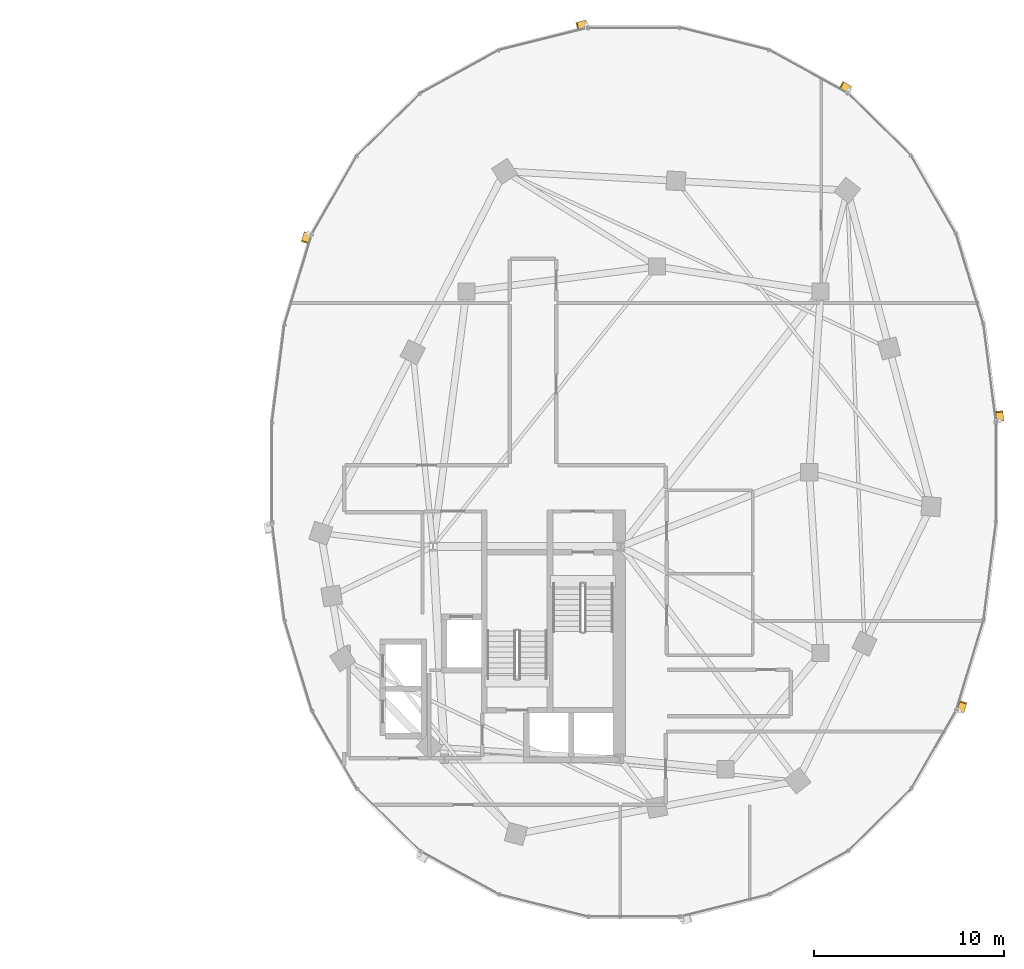
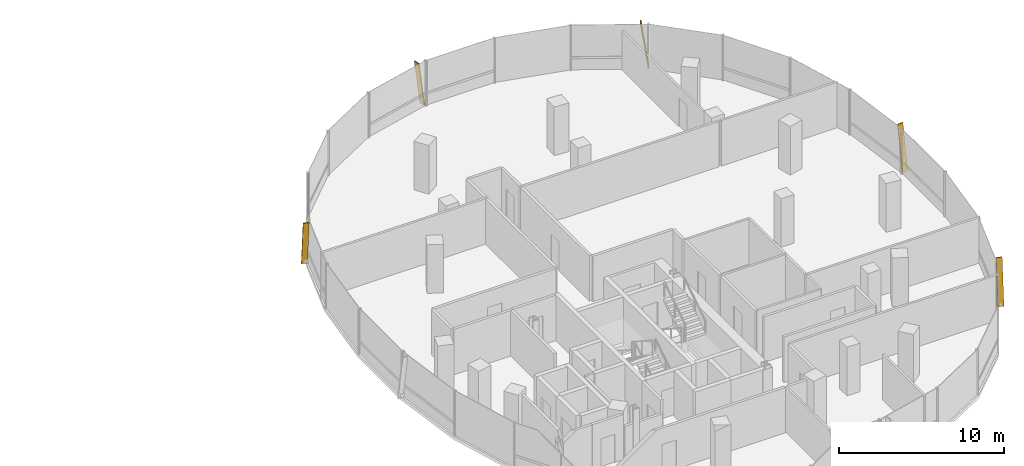
# One storey, part 22 of 22: 5 shading devices.
"""IFC4 building model written with IfcOpenShell, lengths in metres."""

import ifcopenshell
import ifcopenshell.guid

model = None  # the IFC model being written
_history = None  # IfcOwnerHistory: only IFC2X3 demands one
_inside = {}  # id of a spatial element -> (the spatial element, [elements in it])
_under = {}  # id of a project, library or spatial element -> (it, [spatial elements below it])
_declared = {}  # id of a project -> (the project, [libraries it declares])
_typed = {}  # id of a type object -> (the type object, [elements of that type])
_made_of = {}  # id of a material, layer set ... -> (it, [elements and type objects made of it])


def new_model(schema):
    """Start an empty IFC model of exactly this schema.

    Asked for "IFC4X3", IfcOpenShell would pick the latest addendum, in which some entities
    have other attributes; the version numbers below select the first issue.
    IFC2X3 requires an IfcOwnerHistory on every rooted entity: one is made here for all.
    """
    global model, _history
    if schema == "IFC4X3":
        model = ifcopenshell.file(schema_version=(4, 3, 0, 0))
    else:
        model = ifcopenshell.file(schema=schema)
    _inside.clear()
    _under.clear()
    _declared.clear()
    _typed.clear()
    _made_of.clear()
    _history = None
    if model.schema == "IFC2X3":
        org = make("IfcOrganization", Name="unknown")
        user = make(
            "IfcPersonAndOrganization",
            ThePerson=make("IfcPerson", FamilyName="unknown"),
            TheOrganization=org,
        )
        app = make(
            "IfcApplication",
            ApplicationDeveloper=org,
            Version="unknown",
            ApplicationFullName="unknown",
            ApplicationIdentifier="unknown",
        )
        _history = make(
            "IfcOwnerHistory",
            OwningUser=user,
            OwningApplication=app,
            ChangeAction="ADDED",
            CreationDate=0,
        )
    return model


def make(cls, **values):
    """One entity of the class cls with the attributes given. An attribute that is None is left unset."""
    return model.create_entity(
        cls, **{name: value for name, value in values.items() if value is not None}
    )


def rooted(cls, **values):
    """An entity with a GlobalId (a new one), such as an element, a storey or a relation."""
    return make(cls, GlobalId=ifcopenshell.guid.new(), OwnerHistory=_history, **values)


def si_unit(unit_type, name, prefix=None):
    """IfcSIUnit, for example si_unit("LENGTHUNIT", "METRE", prefix="MILLI")."""
    return make("IfcSIUnit", UnitType=unit_type, Prefix=prefix, Name=name)


def assignment(units):
    """IfcUnitAssignment: the units of a project."""
    return None if units is None else make("IfcUnitAssignment", Units=units)


def point(xyz):
    """IfcCartesianPoint."""
    return None if xyz is None else make("IfcCartesianPoint", Coordinates=xyz)


def direction(xyz):
    """IfcDirection."""
    return None if xyz is None else make("IfcDirection", DirectionRatios=xyz)


def frame(location, z_axis=None, x_axis=None):
    """IfcAxis2Placement3D, a coordinate frame: its origin and axes. An axis left out is left unset."""
    return make(
        "IfcAxis2Placement3D",
        Location=point(location),
        Axis=direction(z_axis),
        RefDirection=direction(x_axis),
    )


def frame_2d(location, x_axis=None):
    """IfcAxis2Placement2D, a coordinate frame in the plane: its origin and x axis."""
    return make(
        "IfcAxis2Placement2D", Location=point(location), RefDirection=direction(x_axis)
    )


def origin():
    """The frame at (0, 0, 0) with its axes left unset."""
    return frame((0.0, 0.0, 0.0))


def origin_2d():
    """The frame at (0, 0) in the plane with its x axis left unset."""
    return frame_2d((0.0, 0.0))


def place(relative_to, where):
    """IfcLocalPlacement: puts the frame where relative to a parent placement (None: the world)."""
    return make(
        "IfcLocalPlacement", PlacementRelTo=relative_to, RelativePlacement=where
    )


def context(
    kind, dimensions, precision=None, world=None, true_north=None, identifier=None
):
    """IfcGeometricRepresentationContext, for example the 3D "Model" context."""
    return make(
        "IfcGeometricRepresentationContext",
        ContextIdentifier=identifier,
        ContextType=kind,
        CoordinateSpaceDimension=dimensions,
        Precision=precision,
        WorldCoordinateSystem=world,
        TrueNorth=true_north,
    )


def subcontext(parent, identifier, kind, view, scale=None):
    """IfcGeometricRepresentationSubContext, for example "Body" below "Model"."""
    return make(
        "IfcGeometricRepresentationSubContext",
        ContextIdentifier=identifier,
        ContextType=kind,
        ParentContext=parent,
        TargetScale=scale,
        TargetView=view,
    )


def project(units=None, contexts=None):
    """IfcProject with its units and contexts."""
    return rooted(
        "IfcProject",
        Name="project",
        RepresentationContexts=contexts,
        UnitsInContext=assignment(units),
    )


def spatial(cls, under=None, at=None, **own):
    """A site, building, storey or space (cls), placed at a placement, below another one or the project."""
    s = rooted(cls, ObjectPlacement=at, **own)
    if under is not None:
        _under.setdefault(under.id(), (under, []))[1].append(s)
    return s


def profile(cls, at=None, kind="AREA", **sizes):
    """A parametric profile (cls). Its sizes go by their IFC names, for example OverallWidth=200.0."""
    return make(cls, ProfileType=kind, Position=at, **sizes)


def rectangle(**sizes):
    """IfcRectangleProfileDef."""
    return profile("IfcRectangleProfileDef", **sizes)


def extrude(swept, where, along, depth):
    """IfcExtrudedAreaSolid: the profile swept, set in the frame where, extruded along a direction by depth."""
    return make(
        "IfcExtrudedAreaSolid",
        SweptArea=swept,
        Position=where,
        ExtrudedDirection=direction(along),
        Depth=depth,
    )


def shape(context_of_items, identifier, shape_type, items):
    """IfcShapeRepresentation: the items that make up one representation, for example the "Body"."""
    return make(
        "IfcShapeRepresentation",
        ContextOfItems=context_of_items,
        RepresentationIdentifier=identifier,
        RepresentationType=shape_type,
        Items=items,
    )


def material(Name=None, Category=None):
    """IfcMaterial."""
    return make("IfcMaterial", Name=Name, Category=Category)


def material_profile(
    of_material, cross_section, Name=None, Category=None, Priority=None
):
    """IfcMaterialProfile: a cross section and its material."""
    return make(
        "IfcMaterialProfile",
        Name=Name,
        Material=of_material,
        Profile=cross_section,
        Priority=Priority,
        Category=Category,
    )


def profile_set(profiles, Name=None, composite=None):
    """IfcMaterialProfileSet."""
    return make(
        "IfcMaterialProfileSet",
        Name=Name,
        MaterialProfiles=profiles,
        CompositeProfile=composite,
    )


def made_of(thing, what):
    """Note that an element or type object is made of a material, layer set ...; save() writes the relation."""
    if what is not None:
        _made_of.setdefault(what.id(), (what, []))[1].append(thing)
    return thing


def type_object(cls, material=None, **own):
    """A type object (cls), such as IfcWallType, which elements share."""
    return made_of(rooted(cls, **own), material)


def element(
    cls,
    number,
    at=None,
    inside=None,
    cuts=None,
    type_object=None,
    material=None,
    context=None,
    identifier="Body",
    shape_type=None,
    held_by="IfcProductDefinitionShape",
    body=None,
    shapes=None,
    **own,
):
    """One element of the class cls, such as IfcWall. Its Tag is "e" and its number.

    at: its placement. inside: the storey or other place that contains it. cuts: it is an
    opening in that element (IfcRelVoidsElement). A single representation is given by context,
    identifier, shape_type and body (its items); several are given by shapes. held_by: the class
    of the entity that holds the representations. save() writes the other relations.
    """
    e = rooted(cls, Tag="e%d" % number, ObjectPlacement=at, **own)
    if body is not None:
        shapes = [shape(context, identifier, shape_type, body)]
    if shapes is not None:
        e.Representation = make(held_by, Representations=shapes)
    if inside is not None:
        _inside.setdefault(inside.id(), (inside, []))[1].append(e)
    if cuts is not None:
        rooted(
            "IfcRelVoidsElement", RelatingBuildingElement=cuts, RelatedOpeningElement=e
        )
    if type_object is not None:
        _typed.setdefault(type_object.id(), (type_object, []))[1].append(e)
    return made_of(e, material)


def aggregate(whole, parts):
    """IfcRelAggregates: a whole, such as a stair, and the parts it consists of."""
    return rooted("IfcRelAggregates", RelatingObject=whole, RelatedObjects=parts)


def save(model, path):
    """Write the relations noted so far, then the file.

    IfcRelAggregates (storeys below a building ...), IfcRelContainedInSpatialStructure (elements
    in a storey), IfcRelDefinesByType, IfcRelAssociatesMaterial and IfcRelDeclares: one each for
    every whole, place, type object, material and project.
    """
    for whole, parts in _under.values():
        aggregate(whole, parts)
    for where, things in _inside.values():
        rooted(
            "IfcRelContainedInSpatialStructure",
            RelatedElements=things,
            RelatingStructure=where,
        )
    for kind, things in _typed.values():
        rooted("IfcRelDefinesByType", RelatedObjects=things, RelatingType=kind)
    for what, things in _made_of.values():
        rooted("IfcRelAssociatesMaterial", RelatedObjects=things, RelatingMaterial=what)
    for by, libraries in _declared.values():
        rooted("IfcRelDeclares", RelatingContext=by, RelatedDefinitions=libraries)
    model.write(path)


model = new_model("IFC4")

# Units and contexts
model_context = context("Model", 3, precision=1e-05, world=origin(), true_north=direction((0.0, 1.0)))
body_context = subcontext(model_context, "Body", "Model", "MODEL_VIEW")
ifc_project = project(units=[si_unit("LENGTHUNIT", "METRE"), si_unit("AREAUNIT", "SQUARE_METRE"), si_unit("VOLUMEUNIT", "CUBIC_METRE"), si_unit("PLANEANGLEUNIT", "RADIAN"), si_unit("MASSUNIT", "GRAM", prefix="KILO"), si_unit("THERMODYNAMICTEMPERATUREUNIT", "KELVIN"), si_unit("POWERUNIT", "WATT")], contexts=[model_context])

# Site, building, storey
site_placement = place(None, origin())
site = spatial("IfcSite", under=ifc_project, at=site_placement, CompositionType="ELEMENT")
building_placement = place(site_placement, origin())
building = spatial("IfcBuilding", under=site, at=building_placement, Name="Cundina Bronze Exchange", CompositionType="ELEMENT")
storey_placement = place(building_placement, frame((0.0, 0.0, 165.60009765625)))
storey = spatial("IfcBuildingStorey", under=building, at=storey_placement, Name="L43", CompositionType="ELEMENT", Elevation=165.60009765625)

# Shading devices
ifc_material = material(Name="Anodised Bronze Aluminium 6063-T6", Category="aluminium")
ifc_material_profile = material_profile(ifc_material, rectangle(XDim=0.070068359375, YDim=0.3798828125, at=origin_2d()), Name="FIN70X380", Category="aluminium")
ifc_profile_set = profile_set([ifc_material_profile], Name="Anodised Bronze Aluminium 6063-T6")
shading_device_type = type_object("IfcShadingDeviceType", Name="SHD-FIN-BRZ380", PredefinedType="USERDEFINED", material=ifc_profile_set)
for number, where, z_axis, x_axis, name in (
    (1, (51.23486328125, 2.705810546875, 0.02001953125), (-0.018123110499, 0.141927973785, 0.989711070527), (0.125360600332, -0.981739641151, 0.143080386066), "L43 Diagonal Bronze Solar Fin 1"),
    (2, (43.320068359375, 20.11181640625, 0.02001953125), (-0.125333488691, 0.068998924088, 0.989712415345), (0.867010347902, -0.477308832643, 0.143071083426), "L43 Diagonal Bronze Solar Fin 5"),
    (3, (29.48046875, 23.556396484375, 0.02001953125), (-0.138798398751, -0.034717795597, 0.989711917263), (0.960131970194, 0.240158861973, 0.143074528925), "L43 Diagonal Bronze Solar Fin 1"),
    (4, (14.848876953125, 12.5439453125, 0.02001953125), (-0.041486383227, -0.136977847776, 0.989704980904), (0.286882071994, 0.94721413946, 0.143122502684), "L43 Diagonal Bronze Solar Fin 5"),
    (5, (49.151123046875, -12.5439453125, 0.02001953125), (0.041486383227, 0.136977847776, 0.989704980904), (-0.286882071994, -0.94721413946, 0.143122502684), "L43 Diagonal Bronze Solar Fin 5"),
):
    element("IfcShadingDevice", number, at=place(storey_placement, frame(where, z_axis=z_axis, x_axis=x_axis)), inside=storey, type_object=shading_device_type, Name=name, ObjectType="FIN", PredefinedType="USERDEFINED", context=body_context, shape_type="SweptSolid", body=[
        extrude(rectangle(XDim=0.070068359375, YDim=0.3798828125, at=origin_2d()), origin(), (0.0, 0.0, 1.0), 3.354248046875),
    ])

save(model, "model.ifc")
